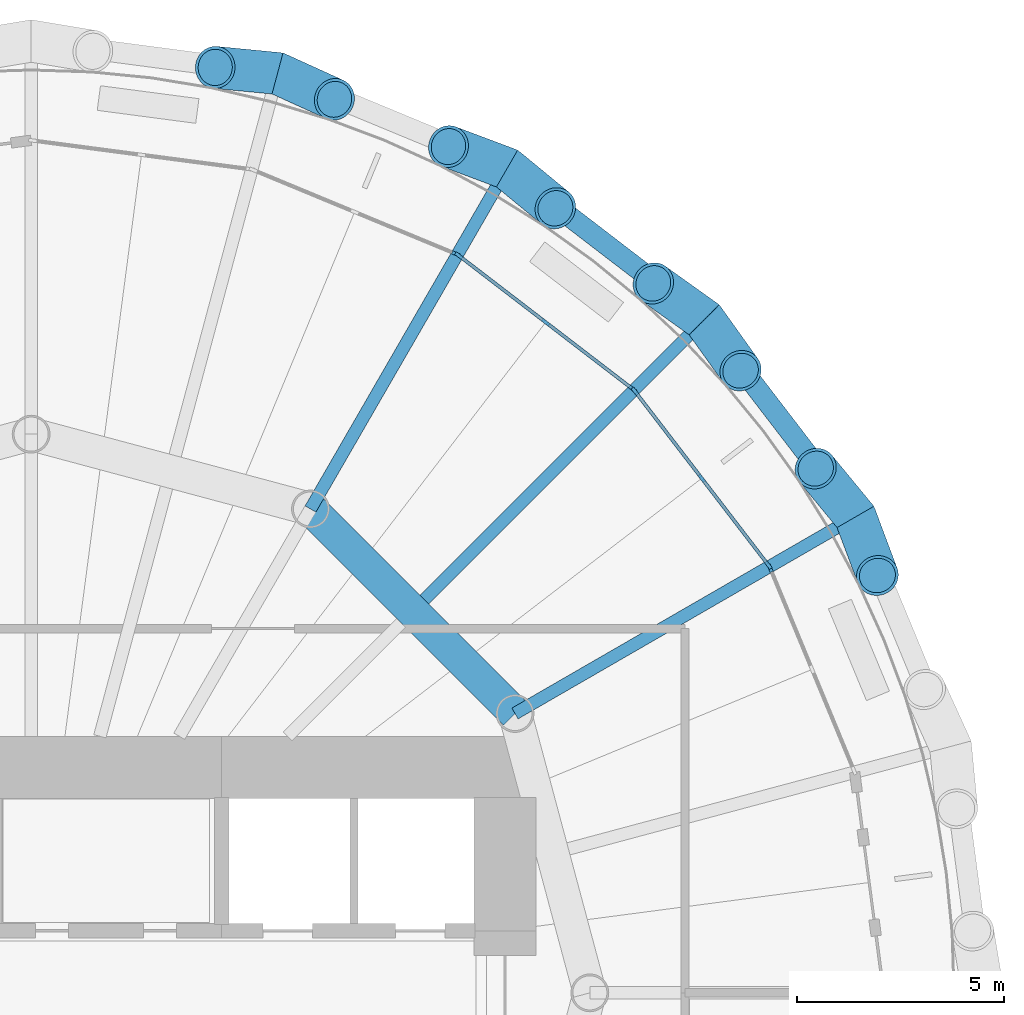
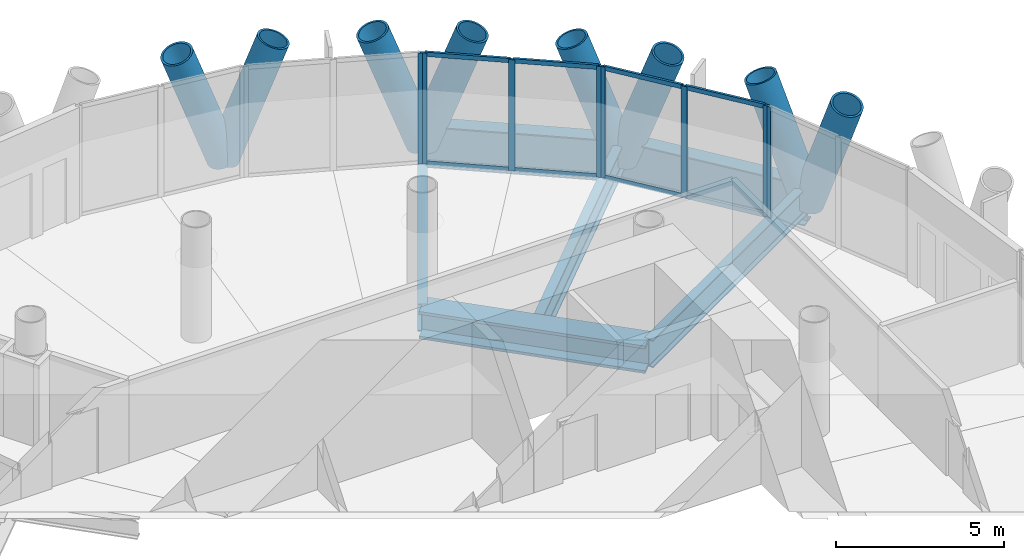
# One storey, part 6 of 14: 24 members, 6 beams, 4 elements without a shape of their own.
"""IFC4 building model written with IfcOpenShell, lengths in metres."""

import ifcopenshell
import ifcopenshell.guid

model = None  # the IFC model being written
_history = None  # IfcOwnerHistory: only IFC2X3 demands one
_inside = {}  # id of a spatial element -> (the spatial element, [elements in it])
_under = {}  # id of a project, library or spatial element -> (it, [spatial elements below it])
_declared = {}  # id of a project -> (the project, [libraries it declares])
_typed = {}  # id of a type object -> (the type object, [elements of that type])
_made_of = {}  # id of a material, layer set ... -> (it, [elements and type objects made of it])


def new_model(schema):
    """Start an empty IFC model of exactly this schema.

    Asked for "IFC4X3", IfcOpenShell would pick the latest addendum, in which some entities
    have other attributes; the version numbers below select the first issue.
    IFC2X3 requires an IfcOwnerHistory on every rooted entity: one is made here for all.
    """
    global model, _history
    if schema == "IFC4X3":
        model = ifcopenshell.file(schema_version=(4, 3, 0, 0))
    else:
        model = ifcopenshell.file(schema=schema)
    _inside.clear()
    _under.clear()
    _declared.clear()
    _typed.clear()
    _made_of.clear()
    _history = None
    if model.schema == "IFC2X3":
        org = make("IfcOrganization", Name="unknown")
        user = make(
            "IfcPersonAndOrganization",
            ThePerson=make("IfcPerson", FamilyName="unknown"),
            TheOrganization=org,
        )
        app = make(
            "IfcApplication",
            ApplicationDeveloper=org,
            Version="unknown",
            ApplicationFullName="unknown",
            ApplicationIdentifier="unknown",
        )
        _history = make(
            "IfcOwnerHistory",
            OwningUser=user,
            OwningApplication=app,
            ChangeAction="ADDED",
            CreationDate=0,
        )
    return model


def make(cls, **values):
    """One entity of the class cls with the attributes given. An attribute that is None is left unset."""
    return model.create_entity(
        cls, **{name: value for name, value in values.items() if value is not None}
    )


def rooted(cls, **values):
    """An entity with a GlobalId (a new one), such as an element, a storey or a relation."""
    return make(cls, GlobalId=ifcopenshell.guid.new(), OwnerHistory=_history, **values)


def si_unit(unit_type, name, prefix=None):
    """IfcSIUnit, for example si_unit("LENGTHUNIT", "METRE", prefix="MILLI")."""
    return make("IfcSIUnit", UnitType=unit_type, Prefix=prefix, Name=name)


def assignment(units):
    """IfcUnitAssignment: the units of a project."""
    return None if units is None else make("IfcUnitAssignment", Units=units)


def point(xyz):
    """IfcCartesianPoint."""
    return None if xyz is None else make("IfcCartesianPoint", Coordinates=xyz)


def direction(xyz):
    """IfcDirection."""
    return None if xyz is None else make("IfcDirection", DirectionRatios=xyz)


def frame(location, z_axis=None, x_axis=None):
    """IfcAxis2Placement3D, a coordinate frame: its origin and axes. An axis left out is left unset."""
    return make(
        "IfcAxis2Placement3D",
        Location=point(location),
        Axis=direction(z_axis),
        RefDirection=direction(x_axis),
    )


def frame_2d(location, x_axis=None):
    """IfcAxis2Placement2D, a coordinate frame in the plane: its origin and x axis."""
    return make(
        "IfcAxis2Placement2D", Location=point(location), RefDirection=direction(x_axis)
    )


def origin():
    """The frame at (0, 0, 0) with its axes left unset."""
    return frame((0.0, 0.0, 0.0))


def origin_2d():
    """The frame at (0, 0) in the plane with its x axis left unset."""
    return frame_2d((0.0, 0.0))


def place(relative_to, where):
    """IfcLocalPlacement: puts the frame where relative to a parent placement (None: the world)."""
    return make(
        "IfcLocalPlacement", PlacementRelTo=relative_to, RelativePlacement=where
    )


def context(
    kind, dimensions, precision=None, world=None, true_north=None, identifier=None
):
    """IfcGeometricRepresentationContext, for example the 3D "Model" context."""
    return make(
        "IfcGeometricRepresentationContext",
        ContextIdentifier=identifier,
        ContextType=kind,
        CoordinateSpaceDimension=dimensions,
        Precision=precision,
        WorldCoordinateSystem=world,
        TrueNorth=true_north,
    )


def subcontext(parent, identifier, kind, view, scale=None):
    """IfcGeometricRepresentationSubContext, for example "Body" below "Model"."""
    return make(
        "IfcGeometricRepresentationSubContext",
        ContextIdentifier=identifier,
        ContextType=kind,
        ParentContext=parent,
        TargetScale=scale,
        TargetView=view,
    )


def project(units=None, contexts=None):
    """IfcProject with its units and contexts."""
    return rooted(
        "IfcProject",
        Name="project",
        RepresentationContexts=contexts,
        UnitsInContext=assignment(units),
    )


def spatial(cls, under=None, at=None, **own):
    """A site, building, storey or space (cls), placed at a placement, below another one or the project."""
    s = rooted(cls, ObjectPlacement=at, **own)
    if under is not None:
        _under.setdefault(under.id(), (under, []))[1].append(s)
    return s


def profile(cls, at=None, kind="AREA", **sizes):
    """A parametric profile (cls). Its sizes go by their IFC names, for example OverallWidth=200.0."""
    return make(cls, ProfileType=kind, Position=at, **sizes)


def rectangle(**sizes):
    """IfcRectangleProfileDef."""
    return profile("IfcRectangleProfileDef", **sizes)


def hollow_circle(**sizes):
    """IfcCircleHollowProfileDef."""
    return profile("IfcCircleHollowProfileDef", **sizes)


def i_section(**sizes):
    """IfcIShapeProfileDef."""
    return profile("IfcIShapeProfileDef", **sizes)


def extrude(swept, where, along, depth):
    """IfcExtrudedAreaSolid: the profile swept, set in the frame where, extruded along a direction by depth."""
    return make(
        "IfcExtrudedAreaSolid",
        SweptArea=swept,
        Position=where,
        ExtrudedDirection=direction(along),
        Depth=depth,
    )


def shape(context_of_items, identifier, shape_type, items):
    """IfcShapeRepresentation: the items that make up one representation, for example the "Body"."""
    return make(
        "IfcShapeRepresentation",
        ContextOfItems=context_of_items,
        RepresentationIdentifier=identifier,
        RepresentationType=shape_type,
        Items=items,
    )


def material(Name=None, Category=None):
    """IfcMaterial."""
    return make("IfcMaterial", Name=Name, Category=Category)


def material_profile(
    of_material, cross_section, Name=None, Category=None, Priority=None
):
    """IfcMaterialProfile: a cross section and its material."""
    return make(
        "IfcMaterialProfile",
        Name=Name,
        Material=of_material,
        Profile=cross_section,
        Priority=Priority,
        Category=Category,
    )


def profile_set(profiles, Name=None, composite=None):
    """IfcMaterialProfileSet."""
    return make(
        "IfcMaterialProfileSet",
        Name=Name,
        MaterialProfiles=profiles,
        CompositeProfile=composite,
    )


def made_of(thing, what):
    """Note that an element or type object is made of a material, layer set ...; save() writes the relation."""
    if what is not None:
        _made_of.setdefault(what.id(), (what, []))[1].append(thing)
    return thing


def type_object(cls, material=None, **own):
    """A type object (cls), such as IfcWallType, which elements share."""
    return made_of(rooted(cls, **own), material)


def element(
    cls,
    number,
    at=None,
    inside=None,
    cuts=None,
    type_object=None,
    material=None,
    context=None,
    identifier="Body",
    shape_type=None,
    held_by="IfcProductDefinitionShape",
    body=None,
    shapes=None,
    **own,
):
    """One element of the class cls, such as IfcWall. Its Tag is "e" and its number.

    at: its placement. inside: the storey or other place that contains it. cuts: it is an
    opening in that element (IfcRelVoidsElement). A single representation is given by context,
    identifier, shape_type and body (its items); several are given by shapes. held_by: the class
    of the entity that holds the representations. save() writes the other relations.
    """
    e = rooted(cls, Tag="e%d" % number, ObjectPlacement=at, **own)
    if body is not None:
        shapes = [shape(context, identifier, shape_type, body)]
    if shapes is not None:
        e.Representation = make(held_by, Representations=shapes)
    if inside is not None:
        _inside.setdefault(inside.id(), (inside, []))[1].append(e)
    if cuts is not None:
        rooted(
            "IfcRelVoidsElement", RelatingBuildingElement=cuts, RelatedOpeningElement=e
        )
    if type_object is not None:
        _typed.setdefault(type_object.id(), (type_object, []))[1].append(e)
    return made_of(e, material)


def aggregate(whole, parts):
    """IfcRelAggregates: a whole, such as a stair, and the parts it consists of."""
    return rooted("IfcRelAggregates", RelatingObject=whole, RelatedObjects=parts)


def save(model, path):
    """Write the relations noted so far, then the file.

    IfcRelAggregates (storeys below a building ...), IfcRelContainedInSpatialStructure (elements
    in a storey), IfcRelDefinesByType, IfcRelAssociatesMaterial and IfcRelDeclares: one each for
    every whole, place, type object, material and project.
    """
    for whole, parts in _under.values():
        aggregate(whole, parts)
    for where, things in _inside.values():
        rooted(
            "IfcRelContainedInSpatialStructure",
            RelatedElements=things,
            RelatingStructure=where,
        )
    for kind, things in _typed.values():
        rooted("IfcRelDefinesByType", RelatedObjects=things, RelatingType=kind)
    for what, things in _made_of.values():
        rooted("IfcRelAssociatesMaterial", RelatedObjects=things, RelatingMaterial=what)
    for by, libraries in _declared.values():
        rooted("IfcRelDeclares", RelatingContext=by, RelatedDefinitions=libraries)
    model.write(path)


model = new_model("IFC4")

# Units and contexts
model_context = context("Model", 3, precision=1e-05, world=origin(), true_north=direction((0.0, 1.0)))
body_context = subcontext(model_context, "Body", "Model", "MODEL_VIEW")
ifc_project = project(units=[si_unit("LENGTHUNIT", "METRE"), si_unit("AREAUNIT", "SQUARE_METRE"), si_unit("VOLUMEUNIT", "CUBIC_METRE"), si_unit("PLANEANGLEUNIT", "RADIAN"), si_unit("MASSUNIT", "GRAM", prefix="KILO")], contexts=[model_context])

# Site, building, storey
site_placement = place(None, origin())
site = spatial("IfcSite", under=ifc_project, at=site_placement, CompositionType="ELEMENT")
building_placement = place(site_placement, origin())
building = spatial("IfcBuilding", under=site, at=building_placement, Name="Qaws Media Tower", CompositionType="ELEMENT")
storey_placement = place(building_placement, frame((0.0, 0.0, 210.800048828125)))
storey = spatial("IfcBuildingStorey", under=building, at=storey_placement, Name="L48", CompositionType="ELEMENT", Elevation=210.800048828125)

# Curtain wall, member
ifc_material_1 = material(Name="Aluminium and clear glass", Category="aluminium")
curtain_wall_type = type_object("IfcCurtainWallType", Name="Unitised curtain wall CW-C", PredefinedType="NOTDEFINED", material=ifc_material_1)
curtain_wall_1_placement = place(storey_placement, origin())
curtain_wall_1 = element("IfcCurtainWall", 1, at=curtain_wall_1_placement, inside=storey, type_object=curtain_wall_type, Name="CWC curtain wall L48-02", PredefinedType="NOTDEFINED")
ifc_material_2 = material(Name="Aluminium mullion", Category="aluminium")
ifc_material_profile_1 = material_profile(ifc_material_2, rectangle(XDim=0.080078125, YDim=0.199951171875, at=origin_2d()), Name="80x200")
ifc_profile_set_1 = profile_set([ifc_material_profile_1], Name="Aluminium mullion")
member_type_1 = type_object("IfcMemberType", Name="Curtain wall mullion 80x200", PredefinedType="MULLION", material=ifc_profile_set_1)
member_1_placement = place(storey_placement, frame((77.85546875, 60.262939453125, 0.0), z_axis=(0.0, 0.0, 1.0), x_axis=(-0.923879521985, -0.382683457778, 0.0)))
member_1 = element("IfcMember", 2, at=member_1_placement, type_object=member_type_1, Name="CWC mullion 3", PredefinedType="MULLION", context=body_context, shape_type="SweptSolid", body=[
    extrude(rectangle(XDim=0.080078125, YDim=0.199951171875, at=origin_2d()), origin(), (0.0, 0.0, 1.0), 4.0400390625),
])
aggregate(curtain_wall_1, [member_1])

# Curtain wall, members
curtain_wall_2_placement = place(storey_placement, origin())
curtain_wall_2 = element("IfcCurtainWall", 3, at=curtain_wall_2_placement, inside=storey, type_object=curtain_wall_type, Name="CWC curtain wall L48-03", PredefinedType="NOTDEFINED")
member_2_placement = place(storey_placement, frame((77.815673828125, 60.331787109375, 0.0), z_axis=(0.0, 0.0, 1.0), x_axis=(-0.793353417662, -0.608761328178, 0.0)))
member_2 = element("IfcMember", 4, at=member_2_placement, type_object=member_type_1, Name="CWC mullion 1", PredefinedType="MULLION", context=body_context, shape_type="SweptSolid", body=[
    extrude(rectangle(XDim=0.080078125, YDim=0.199951171875, at=origin_2d()), origin(), (0.0, 0.0, 1.0), 4.0400390625),
])
member_3_placement = place(storey_placement, frame((76.203369140625, 62.43310546875, 0.0), z_axis=(0.0, 0.0, 1.0), x_axis=(-0.793353417662, -0.608761328178, 0.0)))
member_3 = element("IfcMember", 5, at=member_3_placement, type_object=member_type_1, Name="CWC mullion 2", PredefinedType="MULLION", context=body_context, shape_type="SweptSolid", body=[
    extrude(rectangle(XDim=0.080078125, YDim=0.199951171875, at=origin_2d()), origin(), (0.0, 0.0, 1.0), 4.0400390625),
])
member_4_placement = place(storey_placement, frame((74.5908203125, 64.53466796875, 0.0), z_axis=(0.0, 0.0, 1.0), x_axis=(-0.793353417662, -0.608761328178, 0.0)))
member_4 = element("IfcMember", 6, at=member_4_placement, type_object=member_type_1, Name="CWC mullion 3", PredefinedType="MULLION", context=body_context, shape_type="SweptSolid", body=[
    extrude(rectangle(XDim=0.080078125, YDim=0.199951171875, at=origin_2d()), origin(), (0.0, 0.0, 1.0), 4.0400390625),
])

curtain_wall_3_placement = place(storey_placement, origin())
curtain_wall_3 = element("IfcCurtainWall", 7, at=curtain_wall_3_placement, inside=storey, type_object=curtain_wall_type, Name="CWC curtain wall L48-04", PredefinedType="NOTDEFINED")
member_5_placement = place(storey_placement, frame((74.53466796875, 64.5908203125, 0.0), z_axis=(0.0, 0.0, 1.0), x_axis=(-0.608761328178, -0.793353417662, 0.0)))
member_5 = element("IfcMember", 8, at=member_5_placement, type_object=member_type_1, Name="CWC mullion 1", PredefinedType="MULLION", context=body_context, shape_type="SweptSolid", body=[
    extrude(rectangle(XDim=0.080078125, YDim=0.199951171875, at=origin_2d()), origin(), (0.0, 0.0, 1.0), 4.0400390625),
])
member_6_placement = place(storey_placement, frame((72.43310546875, 66.203369140625, 0.0), z_axis=(0.0, 0.0, 1.0), x_axis=(-0.608761328178, -0.793353417662, 0.0)))
member_6 = element("IfcMember", 9, at=member_6_placement, type_object=member_type_1, Name="CWC mullion 2", PredefinedType="MULLION", context=body_context, shape_type="SweptSolid", body=[
    extrude(rectangle(XDim=0.080078125, YDim=0.199951171875, at=origin_2d()), origin(), (0.0, 0.0, 1.0), 4.0400390625),
])
member_7_placement = place(storey_placement, frame((70.331787109375, 67.815673828125, 0.0), z_axis=(0.0, 0.0, 1.0), x_axis=(-0.608761328178, -0.793353417662, 0.0)))
member_7 = element("IfcMember", 10, at=member_7_placement, type_object=member_type_1, Name="CWC mullion 3", PredefinedType="MULLION", context=body_context, shape_type="SweptSolid", body=[
    extrude(rectangle(XDim=0.080078125, YDim=0.199951171875, at=origin_2d()), origin(), (0.0, 0.0, 1.0), 4.0400390625),
])

# Curtain wall, member
curtain_wall_4_placement = place(storey_placement, origin())
curtain_wall_4 = element("IfcCurtainWall", 11, at=curtain_wall_4_placement, inside=storey, type_object=curtain_wall_type, Name="CWC curtain wall L48-05", PredefinedType="NOTDEFINED")
member_8_placement = place(storey_placement, frame((70.262939453125, 67.85546875, 0.0), z_axis=(0.0, 0.0, 1.0), x_axis=(-0.382683457778, -0.923879521985, 0.0)))
member_8 = element("IfcMember", 12, at=member_8_placement, type_object=member_type_1, Name="CWC mullion 1", PredefinedType="MULLION", context=body_context, shape_type="SweptSolid", body=[
    extrude(rectangle(XDim=0.080078125, YDim=0.199951171875, at=origin_2d()), origin(), (0.0, 0.0, 1.0), 4.0400390625),
])
aggregate(curtain_wall_4, [member_8])

# Member
ifc_material_3 = material(Name="Aluminium transom", Category="aluminium")
ifc_material_profile_2 = material_profile(ifc_material_3, rectangle(XDim=0.080078125, YDim=0.159912109375, at=origin_2d()), Name="80x160")
ifc_profile_set_2 = profile_set([ifc_material_profile_2], Name="Aluminium transom")
member_type_2 = type_object("IfcMemberType", Name="Curtain wall transom 80x160", PredefinedType="USERDEFINED", material=ifc_profile_set_2)
member_9_placement = place(storey_placement, frame((77.79150390625, 60.363525390625, 0.0400390625), z_axis=(-0.608828522039, 0.793301853491, 0.0), x_axis=(-0.793301853491, -0.608828522039, 0.0)))
member_9 = element("IfcMember", 13, at=member_9_placement, type_object=member_type_2, Name="CWC transom 1.1", ObjectType="TRANSOM", PredefinedType="USERDEFINED", context=body_context, shape_type="SweptSolid", body=[
    extrude(rectangle(XDim=0.080078125, YDim=0.159912109375, at=origin_2d()), origin(), (0.0, 0.0, 1.0), 2.56884765625),
])

member_10_placement = place(storey_placement, frame((77.79150390625, 60.363525390625, 4.0), z_axis=(-0.608828522039, 0.793301853491, 0.0), x_axis=(-0.793301853491, -0.608828522039, 0.0)))
member_10 = element("IfcMember", 14, at=member_10_placement, type_object=member_type_2, Name="CWC transom 1.2", ObjectType="TRANSOM", PredefinedType="USERDEFINED", context=body_context, shape_type="SweptSolid", body=[
    extrude(rectangle(XDim=0.080078125, YDim=0.159912109375, at=origin_2d()), origin(), (0.0, 0.0, 1.0), 2.56884765625),
])

member_11_placement = place(storey_placement, frame((76.178955078125, 62.46484375, 0.0400390625), z_axis=(-0.608782621434, 0.793337078322, 0.0), x_axis=(-0.793337078322, -0.608782621434, 0.0)))
member_11 = element("IfcMember", 15, at=member_11_placement, type_object=member_type_2, Name="CWC transom 2.1", ObjectType="TRANSOM", PredefinedType="USERDEFINED", context=body_context, shape_type="SweptSolid", body=[
    extrude(rectangle(XDim=0.080078125, YDim=0.159912109375, at=origin_2d()), origin(), (0.0, 0.0, 1.0), 2.569091796875),
])

member_12_placement = place(storey_placement, frame((76.178955078125, 62.46484375, 4.0), z_axis=(-0.608782621434, 0.793337078322, 0.0), x_axis=(-0.793337078322, -0.608782621434, 0.0)))
member_12 = element("IfcMember", 16, at=member_12_placement, type_object=member_type_2, Name="CWC transom 2.2", ObjectType="TRANSOM", PredefinedType="USERDEFINED", context=body_context, shape_type="SweptSolid", body=[
    extrude(rectangle(XDim=0.080078125, YDim=0.159912109375, at=origin_2d()), origin(), (0.0, 0.0, 1.0), 2.569091796875),
])

aggregate(curtain_wall_2, [member_2, member_3, member_4, member_9, member_10, member_11, member_12])

member_13_placement = place(storey_placement, frame((74.5029296875, 64.614990234375, 0.0400390625), z_axis=(-0.793337078322, 0.608782621434, 0.0), x_axis=(-0.608782621434, -0.793337078322, 0.0)))
member_13 = element("IfcMember", 17, at=member_13_placement, type_object=member_type_2, Name="CWC transom 1.1", ObjectType="TRANSOM", PredefinedType="USERDEFINED", context=body_context, shape_type="SweptSolid", body=[
    extrude(rectangle(XDim=0.080078125, YDim=0.159912109375, at=origin_2d()), origin(), (0.0, 0.0, 1.0), 2.569091796875),
])

member_14_placement = place(storey_placement, frame((74.5029296875, 64.614990234375, 4.0), z_axis=(-0.793337078322, 0.608782621434, 0.0), x_axis=(-0.608782621434, -0.793337078322, 0.0)))
member_14 = element("IfcMember", 18, at=member_14_placement, type_object=member_type_2, Name="CWC transom 1.2", ObjectType="TRANSOM", PredefinedType="USERDEFINED", context=body_context, shape_type="SweptSolid", body=[
    extrude(rectangle(XDim=0.080078125, YDim=0.159912109375, at=origin_2d()), origin(), (0.0, 0.0, 1.0), 2.569091796875),
])

member_15_placement = place(storey_placement, frame((72.4013671875, 66.2275390625, 0.0400390625), z_axis=(-0.793301853491, 0.608828522039, 0.0), x_axis=(-0.608828522039, -0.793301853491, 0.0)))
member_15 = element("IfcMember", 19, at=member_15_placement, type_object=member_type_2, Name="CWC transom 2.1", ObjectType="TRANSOM", PredefinedType="USERDEFINED", context=body_context, shape_type="SweptSolid", body=[
    extrude(rectangle(XDim=0.080078125, YDim=0.159912109375, at=origin_2d()), origin(), (0.0, 0.0, 1.0), 2.56884765625),
])

member_16_placement = place(storey_placement, frame((72.4013671875, 66.2275390625, 4.0), z_axis=(-0.793301853491, 0.608828522039, 0.0), x_axis=(-0.608828522039, -0.793301853491, 0.0)))
member_16 = element("IfcMember", 20, at=member_16_placement, type_object=member_type_2, Name="CWC transom 2.2", ObjectType="TRANSOM", PredefinedType="USERDEFINED", context=body_context, shape_type="SweptSolid", body=[
    extrude(rectangle(XDim=0.080078125, YDim=0.159912109375, at=origin_2d()), origin(), (0.0, 0.0, 1.0), 2.56884765625),
])

aggregate(curtain_wall_3, [member_5, member_6, member_7, member_13, member_14, member_15, member_16])

# Members
ifc_material_4 = material(Name="Steel S460", Category="steel")
ifc_material_profile_3 = material_profile(ifc_material_4, hollow_circle(Radius=0.508056640625, WallThickness=0.070068359375, at=origin_2d()), Name="CHS 1016x70")
ifc_profile_set_3 = profile_set([ifc_material_profile_3], Name="Steel S460")
member_type_3 = type_object("IfcMemberType", Name="Diagrid member CHS 1016x70", PredefinedType="USERDEFINED", material=ifc_profile_set_3)
member_17_placement = place(storey_placement, frame((79.918701171875, 61.5, -0.91015625), z_axis=(-0.215318005555, 0.26142241975, 0.940901947567), x_axis=(-0.771888281677, -0.635758193506, 0.0)))
element("IfcMember", 21, at=member_17_placement, inside=storey, type_object=member_type_3, Name="DG3 diagrid L48 A03", ObjectType="DIAGRID", PredefinedType="USERDEFINED", context=body_context, shape_type="SweptSolid", body=[
    extrude(hollow_circle(Radius=0.508056640625, WallThickness=0.070068359375, at=origin_2d()), origin(), (0.0, 0.0, 1.0), 4.464111328125),
])
for number, where, z_axis, x_axis, name in (
    (22, (79.918701171875, 61.5, -0.91015625), (0.118735101088, -0.317155620088, 0.940911413692), (0.936521506009, 0.350610137877, 0.0), "DG3 diagrid L48 B03"),
    (23, (76.263427734375, 66.263427734375, -0.91015625), (-0.275591992766, 0.196781105372, 0.940917770101), (-0.581100686573, -0.813831673053, 0.0), "DG3 diagrid L48 A04"),
    (24, (76.263427734375, 66.263427734375, -0.91015625), (0.196781105372, -0.275591992766, 0.940917770101), (0.813831673053, 0.581100686573, 0.0), "DG3 diagrid L48 B04"),
    (25, (71.5, 69.918701171875, -0.91015625), (-0.317155620088, 0.118735101088, 0.940911413692), (-0.350610137877, -0.936521506009, 0.0), "DG3 diagrid L48 A05"),
):
    element("IfcMember", number, at=place(storey_placement, frame(where, z_axis=z_axis, x_axis=x_axis)), inside=storey, type_object=member_type_3, Name=name, ObjectType="DIAGRID", PredefinedType="USERDEFINED", context=body_context, shape_type="SweptSolid", body=[
        extrude(hollow_circle(Radius=0.508056640625, WallThickness=0.070068359375, at=origin_2d()), origin(), (0.0, 0.0, 1.0), 4.4638671875),
    ])
for number, where, z_axis, x_axis, name in (
    (26, (71.5, 69.918701171875, -0.91015625), (0.26142241975, -0.215318005555, 0.940901947567), (0.635758193506, 0.771888281677, 0.0), "DG3 diagrid L48 B05"),
    (27, (65.952880859375, 72.21630859375, -0.91015625), (-0.337113722769, 0.032595681176, 0.940899494893), (-0.096241623704, -0.995358000855, 0.0), "DG3 diagrid L48 A06"),
):
    element("IfcMember", number, at=place(storey_placement, frame(where, z_axis=z_axis, x_axis=x_axis)), inside=storey, type_object=member_type_3, Name=name, ObjectType="DIAGRID", PredefinedType="USERDEFINED", context=body_context, shape_type="SweptSolid", body=[
        extrude(hollow_circle(Radius=0.508056640625, WallThickness=0.070068359375, at=origin_2d()), origin(), (0.0, 0.0, 1.0), 4.464111328125),
    ])
member_18_placement = place(storey_placement, frame((65.952880859375, 72.21630859375, -0.91015625), z_axis=(0.308239958096, -0.140283089517, 0.940908488127), x_axis=(0.414228753041, 0.910172807852, 0.0)))
element("IfcMember", 28, at=member_18_placement, inside=storey, type_object=member_type_3, Name="DG3 diagrid L48 B06", ObjectType="DIAGRID", PredefinedType="USERDEFINED", context=body_context, shape_type="SweptSolid", body=[
    extrude(hollow_circle(Radius=0.508056640625, WallThickness=0.070068359375, at=origin_2d()), origin(), (0.0, 0.0, 1.0), 4.4638671875),
])

# Beams
ifc_material_5 = material(Name="Steel S460", Category="steel")
ifc_material_profile_4 = material_profile(ifc_material_5, i_section(OverallWidth=0.5, OverallDepth=1.5, WebThickness=0.02001953125, FlangeThickness=0.0400390625, at=origin_2d()), Name="PG 1500x500")
ifc_profile_set_4 = profile_set([ifc_material_profile_4], Name="Steel S460")
beam_type_1 = type_object("IfcBeamType", Name="Edge ring beam PG 1500x500", PredefinedType="BEAM", material=ifc_profile_set_4)
for number, where, z_axis, x_axis, name in (
    (29, (79.918701171875, 61.5, -0.91015625), (-0.608778912074, 0.793339924758, 0.0), (-0.793339924758, -0.608778912074, 0.0), "RB4 edge ring beam L48-03"),
    (30, (76.263427734375, 66.263427734375, -0.91015625), (-0.793339924758, 0.608778912074, 0.0), (-0.608778912074, -0.793339924758, 0.0), "RB4 edge ring beam L48-04"),
):
    element("IfcBeam", number, at=place(storey_placement, frame(where, z_axis=z_axis, x_axis=x_axis)), inside=storey, type_object=beam_type_1, Name=name, PredefinedType="BEAM", context=body_context, shape_type="SweptSolid", body=[
        extrude(i_section(OverallWidth=0.5, OverallDepth=1.5, WebThickness=0.02001953125, FlangeThickness=0.0400390625, at=origin_2d()), origin(), (0.0, 0.0, 1.0), 6.004150390625),
    ])
ifc_material_6 = material(Name="Steel S460", Category="steel")
ifc_material_profile_5 = material_profile(ifc_material_6, i_section(OverallWidth=0.800048828125, OverallDepth=1.0, WebThickness=0.0400390625, FlangeThickness=0.10009765625, at=origin_2d()), Name="PG 1000x800")
ifc_profile_set_5 = profile_set([ifc_material_profile_5], Name="Steel S460")
beam_type_2 = type_object("IfcBeamType", Name="Inner ring girder PG 1000x800", PredefinedType="BEAM", material=ifc_profile_set_5)
beam_1_placement = place(storey_placement, frame((71.69140625, 56.75, -0.66015625), z_axis=(-0.707106781187, 0.707106781187, 0.0), x_axis=(-0.707106781187, -0.707106781187, 0.0)))
element("IfcBeam", 31, at=beam_1_placement, inside=storey, type_object=beam_type_2, Name="B3 inner ring beam L48 I02-I03", PredefinedType="BEAM", context=body_context, shape_type="SweptSolid", body=[
    extrude(i_section(OverallWidth=0.800048828125, OverallDepth=1.0, WebThickness=0.0400390625, FlangeThickness=0.10009765625, at=origin_2d()), origin(), (0.0, 0.0, 1.0), 6.98828125),
])
ifc_material_7 = material(Name="Steel S355", Category="steel")
ifc_material_profile_6 = material_profile(ifc_material_7, i_section(OverallWidth=0.302001953125, OverallDepth=1.008056640625, WebThickness=0.02099609375, FlangeThickness=0.0400390625, FilletRadius=0.030029296875, at=origin_2d()), Name="HE 1000 M")
ifc_profile_set_6 = profile_set([ifc_material_profile_6], Name="Steel S355")
beam_type_3 = type_object("IfcBeamType", Name="Radial beam HE 1000 M", PredefinedType="BEAM", material=ifc_profile_set_6)
beam_2_placement = place(storey_placement, frame((71.69140625, 56.75, -0.6640625), z_axis=(0.86602681393, 0.499997557548, 0.0), x_axis=(-0.499997557548, 0.86602681393, 0.0)))
element("IfcBeam", 32, at=beam_2_placement, inside=storey, type_object=beam_type_3, Name="B1 radial beam L48 03", PredefinedType="BEAM", context=body_context, shape_type="SweptSolid", body=[
    extrude(i_section(OverallWidth=0.302001953125, OverallDepth=1.008056640625, WebThickness=0.02099609375, FlangeThickness=0.0400390625, FilletRadius=0.030029296875, at=origin_2d()), origin(), (0.0, 0.0, 1.0), 9.5),
])
beam_3_placement = place(storey_placement, frame((69.50341796875, 59.50341796875, -0.6640625), z_axis=(0.707106781187, 0.707106781187, 0.0), x_axis=(-0.707106781187, 0.707106781187, 0.0)))
element("IfcBeam", 33, at=beam_3_placement, inside=storey, type_object=beam_type_3, Name="B1 radial beam L48 04", PredefinedType="BEAM", context=body_context, shape_type="SweptSolid", body=[
    extrude(i_section(OverallWidth=0.302001953125, OverallDepth=1.008056640625, WebThickness=0.02099609375, FlangeThickness=0.0400390625, FilletRadius=0.030029296875, at=origin_2d()), origin(), (0.0, 0.0, 1.0), 9.56005859375),
])
beam_4_placement = place(storey_placement, frame((66.75, 61.69140625, -0.6640625), z_axis=(0.499997557548, 0.86602681393, 0.0), x_axis=(-0.86602681393, 0.499997557548, 0.0)))
element("IfcBeam", 34, at=beam_4_placement, inside=storey, type_object=beam_type_3, Name="B1 radial beam L48 05", PredefinedType="BEAM", context=body_context, shape_type="SweptSolid", body=[
    extrude(i_section(OverallWidth=0.302001953125, OverallDepth=1.008056640625, WebThickness=0.02099609375, FlangeThickness=0.0400390625, FilletRadius=0.030029296875, at=origin_2d()), origin(), (0.0, 0.0, 1.0), 9.5),
])

save(model, "model.ifc")
